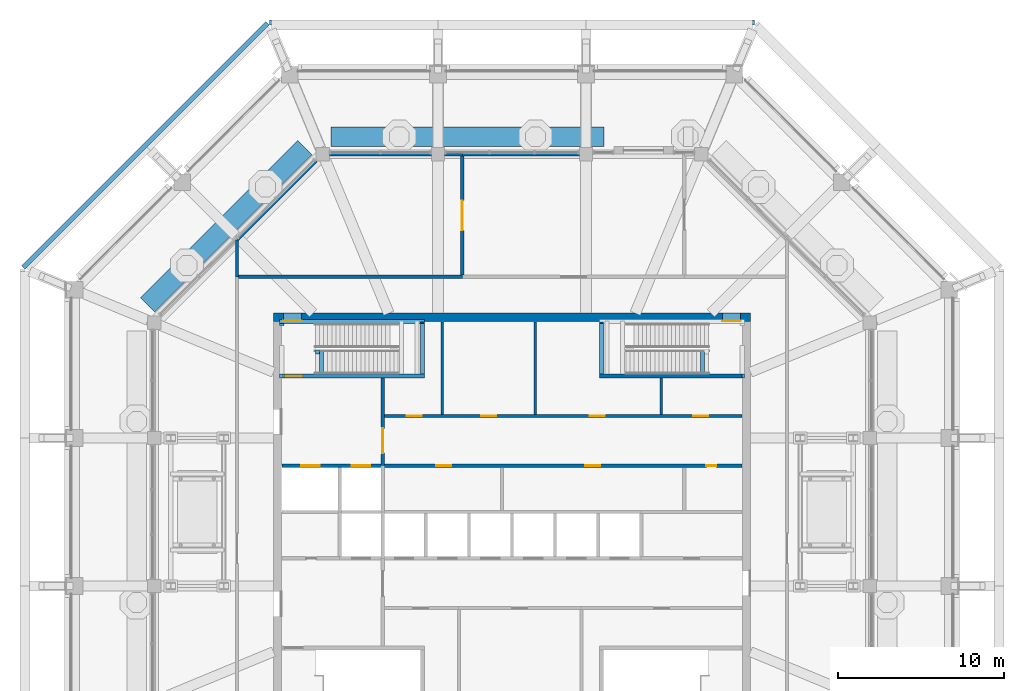
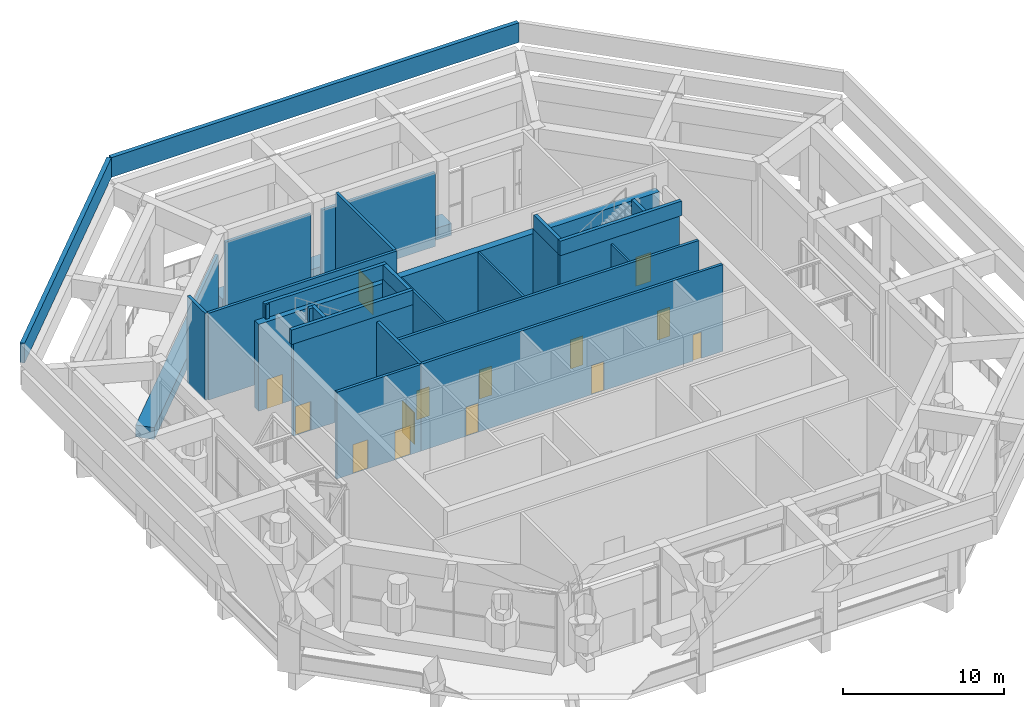
# One storey, part 16 of 29: 32 walls, 14 doors, 14 openings.
"""IFC4 building model written with IfcOpenShell, lengths in metres."""

from ifc_helpers import new_model, si_unit, direction, frame, frame_2d, origin, place, context, subcontext, project, spatial, rectangle, extrude, material, layer, layer_set, type_object, element, fill, save


model = new_model("IFC4")

# Units and contexts
model_context = context("Model", 3, precision=1e-05, world=origin(), true_north=direction((0.0, 1.0)))
body_context = subcontext(model_context, "Body", "Model", "MODEL_VIEW")
ifc_project = project(units=[si_unit("LENGTHUNIT", "METRE"), si_unit("AREAUNIT", "SQUARE_METRE"), si_unit("VOLUMEUNIT", "CUBIC_METRE"), si_unit("PLANEANGLEUNIT", "RADIAN"), si_unit("MASSUNIT", "GRAM", prefix="KILO")], contexts=[model_context])

# Site, building, storey
site_placement = place(None, origin())
site = spatial("IfcSite", under=ifc_project, at=site_placement, CompositionType="ELEMENT")
building_placement = place(site_placement, origin())
building = spatial("IfcBuilding", under=site, at=building_placement, Name="Msitu Wima Residences", CompositionType="ELEMENT")
storey_placement = place(building_placement, frame((0.0, 0.0, 320.10009765625)))
storey = spatial("IfcBuildingStorey", under=building, at=storey_placement, Name="L74", CompositionType="ELEMENT", Elevation=320.10009765625)

# Wall, openings, doors
ifc_material_1 = material(Name="Concrete C50/60", Category="concrete")
ifc_layer_1 = layer(ifc_material_1, 0.5)
ifc_layer_set_1 = layer_set([ifc_layer_1], Name="Concrete C50/60")
wall_type_1 = type_object("IfcWallType", Name="Core wall CW500 C50/60", PredefinedType="SHEAR", material=ifc_layer_set_1)
wall_1_placement = place(storey_placement, frame((-14.39990234375, 11.75, 0.0), z_axis=(0.0, 0.0, 1.0), x_axis=(1.0, 0.0, 0.0)))
wall_1 = element("IfcWall", 1, at=wall_1_placement, inside=storey, type_object=wall_type_1, Name="Core wall", PredefinedType="SHEAR", context=body_context, shape_type="SweptSolid", body=[
    extrude(rectangle(XDim=28.7998046875, YDim=0.5, at=frame_2d((14.39990234375, 0.0))), origin(), (0.0, 0.0, 1.0), 6.599853515625),
])
opening_1_placement = place(wall_1_placement, frame((0.60009765625, 0.0, 0.0)))
opening_1 = element("IfcOpeningElement", 2, at=opening_1_placement, cuts=wall_1, Name="Opening D74.033", PredefinedType="OPENING", context=body_context, shape_type="SweptSolid", body=[
    extrude(rectangle(XDim=1.10009765625, YDim=2.199951171875, at=frame_2d((0.550048828125, 1.10009765625))), frame((0.0, 0.260009765625, 0.0), z_axis=(0.0, -1.0, 0.0), x_axis=(1.0, 0.0, 0.0)), (0.0, 0.0, 1.0), 0.52001953125),
])
opening_2_placement = place(wall_1_placement, frame((27.10009765625, 0.0, 0.0)))
opening_2 = element("IfcOpeningElement", 3, at=opening_2_placement, cuts=wall_1, Name="Opening D74.035", PredefinedType="OPENING", context=body_context, shape_type="SweptSolid", body=[
    extrude(rectangle(XDim=1.10009765625, YDim=2.199951171875, at=frame_2d((0.550048828125, 1.10009765625))), frame((0.0, 0.260009765625, 0.0), z_axis=(0.0, -1.0, 0.0), x_axis=(1.0, 0.0, 0.0)), (0.0, 0.0, 1.0), 0.52001953125),
])
ifc_material_2 = material(Name="Steel door, fire resisting, panic bar", Category="steel")
door_type_1 = type_object("IfcDoorType", Name="Stair door D06 1100x2200", OperationType="SINGLE_SWING_LEFT", PredefinedType="DOOR", material=ifc_material_2)
door_1_placement = place(opening_1_placement, origin())
door_1 = element("IfcDoor", 4, at=door_1_placement, inside=storey, type_object=door_type_1, Name="Stair door", OperationType="SINGLE_SWING_RIGHT", OverallHeight=2.199951171875, OverallWidth=1.10009765625, PredefinedType="DOOR", context=body_context, shape_type="SweptSolid", body=[
    extrude(rectangle(XDim=1.10009765625, YDim=2.199951171875, at=frame_2d((0.550048828125, 1.10009765625))), frame((0.0, -0.19482421875, 0.0), z_axis=(0.0, -1.0, 0.0), x_axis=(1.0, 0.0, 0.0)), (0.0, 0.0, 1.0), 0.050048828125),
])
fill(opening_1, door_1)
door_2_placement = place(opening_2_placement, origin())
door_2 = element("IfcDoor", 5, at=door_2_placement, inside=storey, type_object=door_type_1, Name="Stair door", OperationType="SINGLE_SWING_LEFT", OverallHeight=2.199951171875, OverallWidth=1.10009765625, PredefinedType="DOOR", context=body_context, shape_type="SweptSolid", body=[
    extrude(rectangle(XDim=1.10009765625, YDim=2.199951171875, at=frame_2d((0.550048828125, 1.10009765625))), frame((0.0, -0.19482421875, 0.0), z_axis=(0.0, -1.0, 0.0), x_axis=(1.0, 0.0, 0.0)), (0.0, 0.0, 1.0), 0.050048828125),
])
fill(opening_2, door_2)

# Wall, opening, door
ifc_material_3 = material(Name="Plaster")
ifc_layer_2 = layer(ifc_material_3, 0.011962890625, Name="Plaster")
ifc_material_4 = material(Name="Concrete blockwork", Category="masonry")
ifc_layer_3 = layer(ifc_material_4, 0.176025390625, Name="Concrete blockwork")
ifc_layer_4 = layer(ifc_material_3, 0.011962890625, Name="Plaster")
ifc_layer_set_2 = layer_set([ifc_layer_2, ifc_layer_3, ifc_layer_4], Name="Concrete blockwork")
wall_type_2 = type_object("IfcWallType", Name="Corridor wall FW200", PredefinedType="PARTITIONING", material=ifc_layer_set_2)
wall_2_placement = place(storey_placement, frame((-7.800048828125, 2.800048828125, 0.0), z_axis=(0.0, 0.0, 1.0), x_axis=(0.0, 1.0, 0.0)))
wall_2 = element("IfcWall", 6, at=wall_2_placement, inside=storey, type_object=wall_type_2, Name="Corridor wall", PredefinedType="PARTITIONING", context=body_context, shape_type="SweptSolid", body=[
    extrude(rectangle(XDim=5.27490234375, YDim=0.199951171875, at=frame_2d((2.637451171875, 0.0))), origin(), (0.0, 0.0, 1.0), 6.599853515625),
])
opening_3_placement = place(wall_2_placement, frame((0.75, 0.0, 0.0)))
opening_3 = element("IfcOpeningElement", 7, at=opening_3_placement, cuts=wall_2, Name="Opening D74.004", PredefinedType="OPENING", context=body_context, shape_type="SweptSolid", body=[
    extrude(rectangle(XDim=1.5, YDim=2.39990234375, at=frame_2d((0.75, 1.199951171875))), frame((0.0, 0.10986328125, 0.0), z_axis=(0.0, -1.0, 0.0), x_axis=(1.0, 0.0, 0.0)), (0.0, 0.0, 1.0), 0.219970703125),
])
ifc_material_5 = material(Name="Steel framed glazed door, fire resisting", Category="steel")
door_type_2 = type_object("IfcDoorType", Name="Lobby door D07 1500x2400", OperationType="DOUBLE_DOOR_SINGLE_SWING", PredefinedType="DOOR", material=ifc_material_5)
door_3_placement = place(opening_3_placement, origin())
door_3 = element("IfcDoor", 8, at=door_3_placement, inside=storey, type_object=door_type_2, Name="Lobby door", OperationType="DOUBLE_DOOR_SINGLE_SWING", OverallHeight=2.39990234375, OverallWidth=1.5, PredefinedType="DOOR", context=body_context, shape_type="SweptSolid", body=[
    extrude(rectangle(XDim=1.5, YDim=2.39990234375, at=frame_2d((0.75, 1.199951171875))), frame((0.0, 0.02490234375, 0.0), z_axis=(0.0, -1.0, 0.0), x_axis=(1.0, 0.0, 0.0)), (0.0, 0.0, 1.0), 0.050048828125),
])
fill(opening_3, door_3)

# Wall, openings, doors
wall_3_placement = place(storey_placement, frame((-7.699951171875, 5.800048828125, 0.0), z_axis=(0.0, 0.0, 1.0), x_axis=(1.0, 0.0, 0.0)))
wall_3 = element("IfcWall", 9, at=wall_3_placement, inside=storey, type_object=wall_type_2, Name="Corridor wall", PredefinedType="PARTITIONING", context=body_context, shape_type="SweptSolid", body=[
    extrude(rectangle(XDim=21.570068359375, YDim=0.199951171875, at=frame_2d((10.78515625, 0.0))), origin(), (0.0, 0.0, 1.0), 6.599853515625),
])
opening_4_placement = place(wall_3_placement, frame((1.35009765625, 0.0, 0.0)))
opening_4 = element("IfcOpeningElement", 10, at=opening_4_placement, cuts=wall_3, Name="Opening D74.006", PredefinedType="OPENING", context=body_context, shape_type="SweptSolid", body=[
    extrude(rectangle(XDim=0.89990234375, YDim=2.199951171875, at=frame_2d((0.449951171875, 1.10009765625))), frame((0.0, 0.10986328125, 0.0), z_axis=(0.0, -1.0, 0.0), x_axis=(1.0, 0.0, 0.0)), (0.0, 0.0, 1.0), 0.219970703125),
])
opening_5_placement = place(wall_3_placement, frame((5.85009765625, 0.0, 0.0)))
opening_5 = element("IfcOpeningElement", 11, at=opening_5_placement, cuts=wall_3, Name="Opening D74.007", PredefinedType="OPENING", context=body_context, shape_type="SweptSolid", body=[
    extrude(rectangle(XDim=0.89990234375, YDim=2.199951171875, at=frame_2d((0.449951171875, 1.10009765625))), frame((0.0, 0.10986328125, 0.0), z_axis=(0.0, -1.0, 0.0), x_axis=(1.0, 0.0, 0.0)), (0.0, 0.0, 1.0), 0.219970703125),
])
opening_6_placement = place(wall_3_placement, frame((12.39990234375, 0.0, 0.0)))
opening_6 = element("IfcOpeningElement", 12, at=opening_6_placement, cuts=wall_3, Name="Opening D74.008", PredefinedType="OPENING", context=body_context, shape_type="SweptSolid", body=[
    extrude(rectangle(XDim=0.89990234375, YDim=2.199951171875, at=frame_2d((0.449951171875, 1.10009765625))), frame((0.0, 0.10986328125, 0.0), z_axis=(0.0, -1.0, 0.0), x_axis=(1.0, 0.0, 0.0)), (0.0, 0.0, 1.0), 0.219970703125),
])
opening_7_placement = place(wall_3_placement, frame((18.64990234375, 0.0, 0.0)))
opening_7 = element("IfcOpeningElement", 13, at=opening_7_placement, cuts=wall_3, Name="Opening D74.009", PredefinedType="OPENING", context=body_context, shape_type="SweptSolid", body=[
    extrude(rectangle(XDim=0.89990234375, YDim=2.199951171875, at=frame_2d((0.449951171875, 1.10009765625))), frame((0.0, 0.10986328125, 0.0), z_axis=(0.0, -1.0, 0.0), x_axis=(1.0, 0.0, 0.0)), (0.0, 0.0, 1.0), 0.219970703125),
])
ifc_material_6 = material(Name="Timber flush door", Category="wood")
door_type_3 = type_object("IfcDoorType", Name="Service door D05 900x2200", OperationType="SINGLE_SWING_LEFT", PredefinedType="DOOR", material=ifc_material_6)
door_4_placement = place(opening_4_placement, origin())
door_4 = element("IfcDoor", 14, at=door_4_placement, inside=storey, type_object=door_type_3, Name="Service door", OperationType="SINGLE_SWING_RIGHT", OverallHeight=2.199951171875, OverallWidth=0.89990234375, PredefinedType="DOOR", context=body_context, shape_type="SweptSolid", body=[
    extrude(rectangle(XDim=0.89990234375, YDim=2.199951171875, at=frame_2d((0.449951171875, 1.10009765625))), frame((0.0, 0.02490234375, 0.0), z_axis=(0.0, -1.0, 0.0), x_axis=(1.0, 0.0, 0.0)), (0.0, 0.0, 1.0), 0.050048828125),
])
fill(opening_4, door_4)
door_5_placement = place(opening_5_placement, origin())
door_5 = element("IfcDoor", 15, at=door_5_placement, inside=storey, type_object=door_type_3, Name="Service door", OperationType="SINGLE_SWING_LEFT", OverallHeight=2.199951171875, OverallWidth=0.89990234375, PredefinedType="DOOR", context=body_context, shape_type="SweptSolid", body=[
    extrude(rectangle(XDim=0.89990234375, YDim=2.199951171875, at=frame_2d((0.449951171875, 1.10009765625))), frame((0.0, 0.02490234375, 0.0), z_axis=(0.0, -1.0, 0.0), x_axis=(1.0, 0.0, 0.0)), (0.0, 0.0, 1.0), 0.050048828125),
])
fill(opening_5, door_5)
door_6_placement = place(opening_6_placement, origin())
door_6 = element("IfcDoor", 16, at=door_6_placement, inside=storey, type_object=door_type_3, Name="Service door", OperationType="SINGLE_SWING_RIGHT", OverallHeight=2.199951171875, OverallWidth=0.89990234375, PredefinedType="DOOR", context=body_context, shape_type="SweptSolid", body=[
    extrude(rectangle(XDim=0.89990234375, YDim=2.199951171875, at=frame_2d((0.449951171875, 1.10009765625))), frame((0.0, 0.02490234375, 0.0), z_axis=(0.0, -1.0, 0.0), x_axis=(1.0, 0.0, 0.0)), (0.0, 0.0, 1.0), 0.050048828125),
])
fill(opening_6, door_6)
door_7_placement = place(opening_7_placement, origin())
door_7 = element("IfcDoor", 17, at=door_7_placement, inside=storey, type_object=door_type_3, Name="Service door", OperationType="SINGLE_SWING_LEFT", OverallHeight=2.199951171875, OverallWidth=0.89990234375, PredefinedType="DOOR", context=body_context, shape_type="SweptSolid", body=[
    extrude(rectangle(XDim=0.89990234375, YDim=2.199951171875, at=frame_2d((0.449951171875, 1.10009765625))), frame((0.0, 0.02490234375, 0.0), z_axis=(0.0, -1.0, 0.0), x_axis=(1.0, 0.0, 0.0)), (0.0, 0.0, 1.0), 0.050048828125),
])
fill(opening_7, door_7)

# Walls
wall_4_placement = place(storey_placement, frame((-2.97998046875, 21.60009765625, 0.0), z_axis=(0.0, 0.0, 1.0), x_axis=(1.0, 0.0, 0.0)))
element("IfcWall", 18, at=wall_4_placement, inside=storey, type_object=wall_type_2, Name="Corridor wall", PredefinedType="PARTITIONING", context=body_context, shape_type="SweptSolid", body=[
    extrude(rectangle(XDim=7.048583984375, YDim=0.199951171875, at=frame_2d((3.5244140625, 0.0))), origin(), (0.0, 0.0, 1.0), 5.599853515625),
])
ifc_material_7 = material(Name="Facing brick")
ifc_layer_5 = layer(ifc_material_7, 0.06494140625, Name="Facing brick")
ifc_material_8 = material(Name="Concrete C40/50", Category="concrete")
ifc_layer_6 = layer(ifc_material_8, 0.531005859375, Name="Concrete C40/50")
ifc_material_9 = material(Name="Waterproofing membrane")
ifc_layer_7 = layer(ifc_material_9, 0.00390625, Name="Waterproofing membrane")
ifc_material_10 = material(Name="Planting soil and planting")
ifc_layer_8 = layer(ifc_material_10, 0.60009765625, Name="Planting soil and planting")
ifc_layer_set_3 = layer_set([ifc_layer_5, ifc_layer_6, ifc_layer_7, ifc_layer_8], Name="Concrete C40/50")
wall_type_3 = type_object("IfcWallType", Name="Deck planter PLANTER PL1200", PredefinedType="USERDEFINED", material=ifc_layer_set_3)
wall_5_placement = place(storey_placement, frame((5.5400390625, 22.64990234375, 0.0), z_axis=(0.0, 0.0, 1.0), x_axis=(-1.0, 0.0, 0.0)))
element("IfcWall", 19, at=wall_5_placement, inside=storey, type_object=wall_type_3, Name="Deck planter 3b", ObjectType="PLANTER", PredefinedType="USERDEFINED", context=body_context, shape_type="SweptSolid", body=[
    extrude(rectangle(XDim=16.460693359375, YDim=1.199951171875, at=frame_2d((8.23046875, 0.0))), origin(), (0.0, 0.0, 1.0), 0.89990234375),
])
wall_6_placement = place(storey_placement, frame((-12.511474609375, 21.990966796875, 0.0), z_axis=(0.0, 0.0, 1.0), x_axis=(-0.707106781187, -0.707106781187, 0.0)))
element("IfcWall", 20, at=wall_6_placement, inside=storey, type_object=wall_type_3, Name="Deck planter 4a", ObjectType="PLANTER", PredefinedType="USERDEFINED", context=body_context, shape_type="SweptSolid", body=[
    extrude(rectangle(XDim=13.406005859375, YDim=1.199951171875, at=frame_2d((6.703125, 0.0))), origin(), (0.0, 0.0, 1.0), 0.89990234375),
])
ifc_layer_9 = layer(ifc_material_3, 0.011962890625, Name="Plaster")
ifc_layer_10 = layer(ifc_material_4, 0.1259765625, Name="Concrete blockwork")
ifc_layer_11 = layer(ifc_material_3, 0.011962890625, Name="Plaster")
ifc_layer_set_4 = layer_set([ifc_layer_9, ifc_layer_10, ifc_layer_11], Name="Concrete blockwork")
wall_type_4 = type_object("IfcWallType", Name="Partition PW150", PredefinedType="PARTITIONING", material=ifc_layer_set_4)
for number, where, z_axis, x_axis, name in (
    (21, (-4.199951171875, 5.89990234375, 0.0), (0.0, 0.0, 1.0), (0.0, 1.0, 0.0), "Partition"),
    (22, (1.39990234375, 5.89990234375, 0.0), (0.0, 0.0, 1.0), (0.0, 1.0, 0.0), "Partition"),
):
    element("IfcWall", number, at=place(storey_placement, frame(where, z_axis=z_axis, x_axis=x_axis)), inside=storey, type_object=wall_type_4, Name=name, PredefinedType="PARTITIONING", context=body_context, shape_type="SweptSolid", body=[
        extrude(rectangle(XDim=5.570068359375, YDim=0.14990234375, at=frame_2d((2.78515625, 0.0))), origin(), (0.0, 0.0, 1.0), 6.599853515625),
    ])
wall_7_placement = place(storey_placement, frame((9.0, 5.89990234375, 0.0), z_axis=(0.0, 0.0, 1.0), x_axis=(0.0, 1.0, 0.0)))
element("IfcWall", 23, at=wall_7_placement, inside=storey, type_object=wall_type_4, Name="Partition", PredefinedType="PARTITIONING", context=body_context, shape_type="SweptSolid", body=[
    extrude(rectangle(XDim=2.175048828125, YDim=0.14990234375, at=frame_2d((1.08740234375, 0.0))), origin(), (0.0, 0.0, 1.0), 6.599853515625),
])
ifc_layer_12 = layer(ifc_material_3, 0.011962890625, Name="Plaster")
ifc_material_11 = material(Name="Reinforced concrete blockwork", Category="masonry")
ifc_layer_13 = layer(ifc_material_11, 0.176025390625, Name="Reinforced concrete blockwork")
ifc_layer_14 = layer(ifc_material_3, 0.011962890625, Name="Plaster")
ifc_layer_set_5 = layer_set([ifc_layer_12, ifc_layer_13, ifc_layer_14], Name="Reinforced concrete blockwork")
wall_type_5 = type_object("IfcWallType", Name="Plant and riser wall PL200", PredefinedType="PARTITIONING", material=ifc_layer_set_5)
wall_8_placement = place(storey_placement, frame((-16.60009765625, 14.199951171875, 0.0), z_axis=(0.0, 0.0, 1.0), x_axis=(0.0, 1.0, 0.0)))
element("IfcWall", 24, at=wall_8_placement, inside=storey, type_object=wall_type_5, Name="Plant and riser wall", PredefinedType="PARTITIONING", context=body_context, shape_type="SweptSolid", body=[
    extrude(rectangle(XDim=2.2177734375, YDim=0.199951171875, at=frame_2d((1.10888671875, 0.0))), origin(), (0.0, 0.0, 1.0), 6.599853515625),
])
wall_9_placement = place(storey_placement, frame((-16.5, 14.199951171875, 0.0), z_axis=(0.0, 0.0, 1.0), x_axis=(1.0, 0.0, 0.0)))
element("IfcWall", 25, at=wall_9_placement, inside=storey, type_object=wall_type_5, Name="Plant and riser wall", PredefinedType="PARTITIONING", context=body_context, shape_type="SweptSolid", body=[
    extrude(rectangle(XDim=13.52001953125, YDim=0.199951171875, at=frame_2d((6.760009765625, 0.0))), origin(), (0.0, 0.0, 1.0), 6.599853515625),
])
wall_10_placement = place(storey_placement, frame((-16.5859375, 16.431884765625, 0.0), z_axis=(0.0, 0.0, 1.0), x_axis=(0.707124883584, 0.707088678326, 0.0)))
element("IfcWall", 26, at=wall_10_placement, inside=storey, type_object=wall_type_5, Name="Plant and riser wall", PredefinedType="PARTITIONING", context=body_context, shape_type="SweptSolid", body=[
    extrude(rectangle(XDim=6.7431640625, YDim=0.199951171875, at=frame_2d((3.37158203125, 0.0))), origin(), (0.0, 0.0, 1.0), 5.14990234375),
])
wall_11_placement = place(storey_placement, frame((-11.017578125, 21.60009765625, 0.0), z_axis=(0.0, 0.0, 1.0), x_axis=(1.0, 0.0, 0.0)))
element("IfcWall", 27, at=wall_11_placement, inside=storey, type_object=wall_type_5, Name="Plant and riser wall", PredefinedType="PARTITIONING", context=body_context, shape_type="SweptSolid", body=[
    extrude(rectangle(XDim=6.14892578125, YDim=0.199951171875, at=frame_2d((3.074462890625, 0.0))), origin(), (0.0, 0.0, 1.0), 5.599853515625),
])
wall_12_placement = place(storey_placement, frame((-4.068603515625, 21.60009765625, 0.0), z_axis=(0.0, 0.0, 1.0), x_axis=(1.0, 0.0, 0.0)))
element("IfcWall", 28, at=wall_12_placement, inside=storey, type_object=wall_type_5, Name="Plant and riser wall", PredefinedType="PARTITIONING", context=body_context, shape_type="SweptSolid", body=[
    extrude(rectangle(XDim=1.088623046875, YDim=0.199951171875, at=frame_2d((0.54443359375, 0.0))), origin(), (0.0, 0.0, 1.0), 5.599853515625),
])

# Wall, openings, doors
wall_13_placement = place(storey_placement, frame((-7.820068359375, 2.800048828125, 0.0), z_axis=(0.0, 0.0, 1.0), x_axis=(1.0, 0.0, 0.0)))
wall_13 = element("IfcWall", 29, at=wall_13_placement, inside=storey, type_object=wall_type_5, Name="Plant and riser wall", PredefinedType="PARTITIONING", context=body_context, shape_type="SweptSolid", body=[
    extrude(rectangle(XDim=21.690185546875, YDim=0.199951171875, at=frame_2d((10.84521484375, 0.0))), origin(), (0.0, 0.0, 1.0), 6.599853515625),
])
opening_8_placement = place(wall_13_placement, frame((19.550048828125, 0.0, 0.0)))
opening_8 = element("IfcOpeningElement", 30, at=opening_8_placement, cuts=wall_13, Name="Opening D74.015", PredefinedType="OPENING", context=body_context, shape_type="SweptSolid", body=[
    extrude(rectangle(XDim=0.60009765625, YDim=2.0, at=frame_2d((0.300048828125, 1.0))), frame((0.0, 0.10986328125, 0.0), z_axis=(0.0, -1.0, 0.0), x_axis=(1.0, 0.0, 0.0)), (0.0, 0.0, 1.0), 0.219970703125),
])
opening_9_placement = place(wall_13_placement, frame((3.25, 0.0, 0.0)))
opening_9 = element("IfcOpeningElement", 31, at=opening_9_placement, cuts=wall_13, Name="Opening D74.013", PredefinedType="OPENING", context=body_context, shape_type="SweptSolid", body=[
    extrude(rectangle(XDim=0.89990234375, YDim=2.199951171875, at=frame_2d((0.449951171875, 1.10009765625))), frame((0.0, 0.10986328125, 0.0), z_axis=(0.0, -1.0, 0.0), x_axis=(1.0, 0.0, 0.0)), (0.0, 0.0, 1.0), 0.219970703125),
])
opening_10_placement = place(wall_13_placement, frame((12.25, 0.0, 0.0)))
opening_10 = element("IfcOpeningElement", 32, at=opening_10_placement, cuts=wall_13, Name="Opening D74.014", PredefinedType="OPENING", context=body_context, shape_type="SweptSolid", body=[
    extrude(rectangle(XDim=0.89990234375, YDim=2.199951171875, at=frame_2d((0.449951171875, 1.10009765625))), frame((0.0, 0.10986328125, 0.0), z_axis=(0.0, -1.0, 0.0), x_axis=(1.0, 0.0, 0.0)), (0.0, 0.0, 1.0), 0.219970703125),
])
ifc_material_12 = material(Name="Steel access door, fire resisting", Category="steel")
door_type_4 = type_object("IfcDoorType", Name="Riser access door D08 600x2000", OperationType="SINGLE_SWING_LEFT", PredefinedType="DOOR", material=ifc_material_12)
door_8_placement = place(opening_8_placement, origin())
door_8 = element("IfcDoor", 33, at=door_8_placement, inside=storey, type_object=door_type_4, Name="Riser access door", OperationType="SINGLE_SWING_RIGHT", OverallHeight=2.0, OverallWidth=0.60009765625, PredefinedType="DOOR", context=body_context, shape_type="SweptSolid", body=[
    extrude(rectangle(XDim=0.60009765625, YDim=2.0, at=frame_2d((0.300048828125, 1.0))), frame((0.0, 0.02490234375, 0.0), z_axis=(0.0, -1.0, 0.0), x_axis=(1.0, 0.0, 0.0)), (0.0, 0.0, 1.0), 0.050048828125),
])
fill(opening_8, door_8)
door_9_placement = place(opening_9_placement, origin())
door_9 = element("IfcDoor", 34, at=door_9_placement, inside=storey, type_object=door_type_3, Name="Service door", OperationType="SINGLE_SWING_LEFT", OverallHeight=2.199951171875, OverallWidth=0.89990234375, PredefinedType="DOOR", context=body_context, shape_type="SweptSolid", body=[
    extrude(rectangle(XDim=0.89990234375, YDim=2.199951171875, at=frame_2d((0.449951171875, 1.10009765625))), frame((0.0, 0.02490234375, 0.0), z_axis=(0.0, -1.0, 0.0), x_axis=(1.0, 0.0, 0.0)), (0.0, 0.0, 1.0), 0.050048828125),
])
fill(opening_9, door_9)
door_10_placement = place(opening_10_placement, origin())
door_10 = element("IfcDoor", 35, at=door_10_placement, inside=storey, type_object=door_type_3, Name="Service door", OperationType="SINGLE_SWING_LEFT", OverallHeight=2.199951171875, OverallWidth=0.89990234375, PredefinedType="DOOR", context=body_context, shape_type="SweptSolid", body=[
    extrude(rectangle(XDim=0.89990234375, YDim=2.199951171875, at=frame_2d((0.449951171875, 1.10009765625))), frame((0.0, 0.02490234375, 0.0), z_axis=(0.0, -1.0, 0.0), x_axis=(1.0, 0.0, 0.0)), (0.0, 0.0, 1.0), 0.050048828125),
])
fill(opening_10, door_10)

# Wall, opening, door
wall_14_placement = place(storey_placement, frame((-3.0, 14.300048828125, 0.0), z_axis=(0.0, 0.0, 1.0), x_axis=(0.0, 1.0, 0.0)))
wall_14 = element("IfcWall", 36, at=wall_14_placement, inside=storey, type_object=wall_type_5, Name="Plant and riser wall", PredefinedType="PARTITIONING", context=body_context, shape_type="SweptSolid", body=[
    extrude(rectangle(XDim=7.199951171875, YDim=0.199951171875, at=frame_2d((3.60009765625, 0.0))), origin(), (0.0, 0.0, 1.0), 6.599853515625),
])
opening_11_placement = place(wall_14_placement, frame((2.699951171875, 0.0, 0.0)))
opening_11 = element("IfcOpeningElement", 37, at=opening_11_placement, cuts=wall_14, Name="Opening D74.023", PredefinedType="OPENING", context=body_context, shape_type="SweptSolid", body=[
    extrude(rectangle(XDim=1.800048828125, YDim=2.39990234375, at=frame_2d((0.89990234375, 1.199951171875))), frame((0.0, 0.10986328125, 0.0), z_axis=(0.0, -1.0, 0.0), x_axis=(1.0, 0.0, 0.0)), (0.0, 0.0, 1.0), 0.219970703125),
])
ifc_material_13 = material(Name="Steel door, fire resisting", Category="steel")
door_type_5 = type_object("IfcDoorType", Name="Plant room door D09 1800x2400", OperationType="DOUBLE_DOOR_SINGLE_SWING", PredefinedType="DOOR", material=ifc_material_13)
door_11_placement = place(opening_11_placement, origin())
door_11 = element("IfcDoor", 38, at=door_11_placement, inside=storey, type_object=door_type_5, Name="Plant room door", OperationType="DOUBLE_DOOR_SINGLE_SWING", OverallHeight=2.39990234375, OverallWidth=1.800048828125, PredefinedType="DOOR", context=body_context, shape_type="SweptSolid", body=[
    extrude(rectangle(XDim=1.800048828125, YDim=2.39990234375, at=frame_2d((0.89990234375, 1.199951171875))), frame((0.0, 0.02490234375, 0.0), z_axis=(0.0, -1.0, 0.0), x_axis=(1.0, 0.0, 0.0)), (0.0, 0.0, 1.0), 0.050048828125),
])
fill(opening_11, door_11)

# Walls
ifc_layer_15 = layer(ifc_material_7, 0.06494140625, Name="Facing brick")
ifc_layer_16 = layer(ifc_material_8, 0.235107421875, Name="Concrete C40/50")
ifc_layer_set_6 = layer_set([ifc_layer_15, ifc_layer_16], Name="Concrete C40/50")
wall_type_6 = type_object("IfcWallType", Name="Roof parapet PA300", PredefinedType="PARAPET", material=ifc_layer_set_6)
wall_15_placement = place(storey_placement, frame((-29.506103515625, 14.754638671875, 7.0), z_axis=(0.0, 0.0, 1.0), x_axis=(0.707106781187, 0.707106781187, 0.0)))
element("IfcWall", 39, at=wall_15_placement, inside=storey, type_object=wall_type_6, Name="Roof parapet 4", PredefinedType="PARAPET", context=body_context, shape_type="SweptSolid", body=[
    extrude(rectangle(XDim=20.86181640625, YDim=0.300048828125, at=frame_2d((10.430908203125, 0.0))), origin(), (0.0, 0.0, 1.0), 1.5),
])
wall_16_placement = place(storey_placement, frame((-14.6484375, 29.550048828125, 7.0), z_axis=(0.0, 0.0, 1.0), x_axis=(1.0, 0.0, 0.0)))
element("IfcWall", 40, at=wall_16_placement, inside=storey, type_object=wall_type_6, Name="Roof parapet 5", PredefinedType="PARAPET", context=body_context, shape_type="SweptSolid", body=[
    extrude(rectangle(XDim=29.296875, YDim=0.300048828125, at=frame_2d((14.6484375, 0.0))), origin(), (0.0, 0.0, 1.0), 1.5),
])
ifc_layer_17 = layer(ifc_material_7, 0.06494140625, Name="Facing brick")
ifc_layer_18 = layer(ifc_material_8, 0.18505859375, Name="Concrete C40/50")
ifc_layer_set_7 = layer_set([ifc_layer_17, ifc_layer_18], Name="Concrete C40/50")
wall_type_7 = type_object("IfcWallType", Name="Roof stair upstand wall UW250", PredefinedType="SOLIDWALL", material=ifc_layer_set_7)
wall_17_placement = place(storey_placement, frame((-11.5, 8.324951171875, 7.0), z_axis=(0.0, 0.0, 1.0), x_axis=(0.0, 1.0, 0.0)))
element("IfcWall", 41, at=wall_17_placement, inside=storey, type_object=wall_type_7, Name="Roof stair 1 upstand wall", PredefinedType="SOLIDWALL", context=body_context, shape_type="SweptSolid", body=[
    extrude(rectangle(XDim=1.449951171875, YDim=0.25, at=frame_2d((0.72509765625, 0.0))), origin(), (0.0, 0.0, 1.0), 1.099853515625),
])
wall_18_placement = place(storey_placement, frame((-11.875, 9.64990234375, 7.0), z_axis=(0.0, 0.0, 1.0), x_axis=(1.0, 0.0, 0.0)))
element("IfcWall", 42, at=wall_18_placement, inside=storey, type_object=wall_type_7, Name="Roof stair 1 upstand wall", PredefinedType="SOLIDWALL", context=body_context, shape_type="SweptSolid", body=[
    extrude(rectangle(XDim=0.25, YDim=0.25, at=frame_2d((0.125, 0.0))), origin(), (0.0, 0.0, 1.0), 1.099853515625),
])
for number, where, z_axis, x_axis, name in (
    (43, (-14.02490234375, 11.5, 7.0), (0.0, 0.0, 1.0), (1.0, 0.0, 0.0), "Roof stair 1 upstand wall"),
    (44, (-14.02490234375, 8.199951171875, 7.0), (0.0, 0.0, 1.0), (1.0, 0.0, 0.0), "Roof stair 1 upstand wall"),
):
    element("IfcWall", number, at=place(storey_placement, frame(where, z_axis=z_axis, x_axis=x_axis)), inside=storey, type_object=wall_type_7, Name=name, PredefinedType="SOLIDWALL", context=body_context, shape_type="SweptSolid", body=[
        extrude(rectangle(XDim=8.75, YDim=0.25, at=frame_2d((4.375, 0.0))), origin(), (0.0, 0.0, 1.0), 1.099853515625),
    ])
wall_19_placement = place(storey_placement, frame((-5.39990234375, 8.324951171875, 7.0), z_axis=(0.0, 0.0, 1.0), x_axis=(0.0, 1.0, 0.0)))
element("IfcWall", 45, at=wall_19_placement, inside=storey, type_object=wall_type_7, Name="Roof stair 1 upstand wall", PredefinedType="SOLIDWALL", context=body_context, shape_type="SweptSolid", body=[
    extrude(rectangle(XDim=3.050048828125, YDim=0.25, at=frame_2d((1.52490234375, 0.0))), origin(), (0.0, 0.0, 1.0), 1.099853515625),
])
wall_20_placement = place(storey_placement, frame((-13.89990234375, 11.25, 7.0), z_axis=(0.0, 0.0, 1.0), x_axis=(0.0, 1.0, 0.0)))
element("IfcWall", 46, at=wall_20_placement, inside=storey, type_object=wall_type_7, Name="Roof stair 1 upstand wall", PredefinedType="SOLIDWALL", context=body_context, shape_type="SweptSolid", body=[
    extrude(rectangle(XDim=0.125, YDim=0.25, at=frame_2d((0.0625, 0.0))), origin(), (0.0, 0.0, 1.0), 1.099853515625),
])
wall_21_placement = place(storey_placement, frame((11.5, 8.324951171875, 7.0), z_axis=(0.0, 0.0, 1.0), x_axis=(0.0, 1.0, 0.0)))
element("IfcWall", 47, at=wall_21_placement, inside=storey, type_object=wall_type_7, Name="Roof stair 3 upstand wall", PredefinedType="SOLIDWALL", context=body_context, shape_type="SweptSolid", body=[
    extrude(rectangle(XDim=1.449951171875, YDim=0.25, at=frame_2d((0.72509765625, 0.0))), origin(), (0.0, 0.0, 1.0), 1.099853515625),
])
wall_22_placement = place(storey_placement, frame((5.27490234375, 8.199951171875, 7.0), z_axis=(0.0, 0.0, 1.0), x_axis=(1.0, 0.0, 0.0)))
element("IfcWall", 48, at=wall_22_placement, inside=storey, type_object=wall_type_7, Name="Roof stair 3 upstand wall", PredefinedType="SOLIDWALL", context=body_context, shape_type="SweptSolid", body=[
    extrude(rectangle(XDim=8.75, YDim=0.25, at=frame_2d((4.375, 0.0))), origin(), (0.0, 0.0, 1.0), 1.099853515625),
])
wall_23_placement = place(storey_placement, frame((5.39990234375, 8.324951171875, 7.0), z_axis=(0.0, 0.0, 1.0), x_axis=(0.0, 1.0, 0.0)))
element("IfcWall", 49, at=wall_23_placement, inside=storey, type_object=wall_type_7, Name="Roof stair 3 upstand wall", PredefinedType="SOLIDWALL", context=body_context, shape_type="SweptSolid", body=[
    extrude(rectangle(XDim=3.050048828125, YDim=0.25, at=frame_2d((1.52490234375, 0.0))), origin(), (0.0, 0.0, 1.0), 1.099853515625),
])

# Wall, openings, doors
ifc_material_14 = material(Name="Fire-rated board")
ifc_layer_19 = layer(ifc_material_14, 0.02490234375, Name="Fire-rated board")
ifc_material_15 = material(Name="Light-gauge stud framing with mineral wool")
ifc_layer_20 = layer(ifc_material_15, 0.14990234375, Name="Light-gauge stud framing with mineral wool")
ifc_layer_21 = layer(ifc_material_14, 0.02490234375, Name="Fire-rated board")
ifc_layer_set_8 = layer_set([ifc_layer_19, ifc_layer_20, ifc_layer_21], Name="Light-gauge stud framing with mineral wool")
wall_type_8 = type_object("IfcWallType", Name="Shaft wall SH200", PredefinedType="PARTITIONING", material=ifc_layer_set_8)
wall_24_placement = place(storey_placement, frame((-13.8701171875, 2.800048828125, 0.0), z_axis=(0.0, 0.0, 1.0), x_axis=(1.0, 0.0, 0.0)))
wall_24 = element("IfcWall", 50, at=wall_24_placement, inside=storey, type_object=wall_type_8, Name="Shaft wall", PredefinedType="PARTITIONING", context=body_context, shape_type="SweptSolid", body=[
    extrude(rectangle(XDim=6.050048828125, YDim=0.199951171875, at=frame_2d((3.02490234375, 0.0))), origin(), (0.0, 0.0, 1.0), 6.599853515625),
])
opening_12_placement = place(wall_24_placement, frame((1.14990234375, 0.0, 0.0)))
opening_12 = element("IfcOpeningElement", 51, at=opening_12_placement, cuts=wall_24, Name="Opening LD", PredefinedType="OPENING", context=body_context, shape_type="SweptSolid", body=[
    extrude(rectangle(XDim=1.10009765625, YDim=2.199951171875, at=frame_2d((0.550048828125, 1.10009765625))), frame((0.0, 0.10986328125, 0.0), z_axis=(0.0, -1.0, 0.0), x_axis=(1.0, 0.0, 0.0)), (0.0, 0.0, 1.0), 0.219970703125),
])
opening_13_placement = place(wall_24_placement, frame((4.199951171875, 0.0, 0.0)))
opening_13 = element("IfcOpeningElement", 52, at=opening_13_placement, cuts=wall_24, Name="Opening LD", PredefinedType="OPENING", context=body_context, shape_type="SweptSolid", body=[
    extrude(rectangle(XDim=1.10009765625, YDim=2.199951171875, at=frame_2d((0.550048828125, 1.10009765625))), frame((0.0, 0.10986328125, 0.0), z_axis=(0.0, -1.0, 0.0), x_axis=(1.0, 0.0, 0.0)), (0.0, 0.0, 1.0), 0.219970703125),
])
ifc_material_16 = material(Name="Stainless steel centre-opening landing door, rated", Category="steel")
door_type_6 = type_object("IfcDoorType", Name="Lift landing door LD 1100x2200", OperationType="DOUBLE_DOOR_SLIDING", PredefinedType="DOOR", material=ifc_material_16)
door_12_placement = place(opening_12_placement, origin())
door_12 = element("IfcDoor", 53, at=door_12_placement, inside=storey, type_object=door_type_6, Name="Lift landing door LD1", OperationType="DOUBLE_DOOR_SLIDING", OverallHeight=2.199951171875, OverallWidth=1.10009765625, PredefinedType="DOOR", context=body_context, shape_type="SweptSolid", body=[
    extrude(rectangle(XDim=1.10009765625, YDim=2.199951171875, at=frame_2d((0.550048828125, 1.10009765625))), frame((0.0, 0.02490234375, 0.0), z_axis=(0.0, -1.0, 0.0), x_axis=(1.0, 0.0, 0.0)), (0.0, 0.0, 1.0), 0.050048828125),
])
fill(opening_12, door_12)
door_13_placement = place(opening_13_placement, origin())
door_13 = element("IfcDoor", 54, at=door_13_placement, inside=storey, type_object=door_type_6, Name="Lift landing door LD2", OperationType="DOUBLE_DOOR_SLIDING", OverallHeight=2.199951171875, OverallWidth=1.10009765625, PredefinedType="DOOR", context=body_context, shape_type="SweptSolid", body=[
    extrude(rectangle(XDim=1.10009765625, YDim=2.199951171875, at=frame_2d((0.550048828125, 1.10009765625))), frame((0.0, 0.02490234375, 0.0), z_axis=(0.0, -1.0, 0.0), x_axis=(1.0, 0.0, 0.0)), (0.0, 0.0, 1.0), 0.050048828125),
])
fill(opening_13, door_13)

# Wall, opening, door
ifc_layer_22 = layer(ifc_material_1, 0.25)
ifc_layer_set_9 = layer_set([ifc_layer_22], Name="Concrete C50/60")
wall_type_9 = type_object("IfcWallType", Name="Stair enclosure wall SW250", PredefinedType="SHEAR", material=ifc_layer_set_9)
wall_25_placement = place(storey_placement, frame((-13.8701171875, 8.199951171875, 0.0), z_axis=(0.0, 0.0, 1.0), x_axis=(1.0, 0.0, 0.0)))
wall_25 = element("IfcWall", 55, at=wall_25_placement, inside=storey, type_object=wall_type_9, Name="Stair enclosure wall", PredefinedType="SHEAR", context=body_context, shape_type="SweptSolid", body=[
    extrude(rectangle(XDim=8.59521484375, YDim=0.25, at=frame_2d((4.297607421875, 0.0))), origin(), (0.0, 0.0, 1.0), 7.0),
])
opening_14_placement = place(wall_25_placement, frame((0.14990234375, 0.0, 0.0)))
opening_14 = element("IfcOpeningElement", 56, at=opening_14_placement, cuts=wall_25, Name="Opening D74.017", PredefinedType="OPENING", context=body_context, shape_type="SweptSolid", body=[
    extrude(rectangle(XDim=1.10009765625, YDim=2.199951171875, at=frame_2d((0.550048828125, 1.10009765625))), frame((0.0, 0.135009765625, 0.0), z_axis=(0.0, -1.0, 0.0), x_axis=(1.0, 0.0, 0.0)), (0.0, 0.0, 1.0), 0.27001953125),
])
door_14_placement = place(opening_14_placement, origin())
door_14 = element("IfcDoor", 57, at=door_14_placement, inside=storey, type_object=door_type_1, Name="Stair door", OperationType="SINGLE_SWING_LEFT", OverallHeight=2.199951171875, OverallWidth=1.10009765625, PredefinedType="DOOR", context=body_context, shape_type="SweptSolid", body=[
    extrude(rectangle(XDim=1.10009765625, YDim=2.199951171875, at=frame_2d((0.550048828125, 1.10009765625))), frame((0.0, 0.02490234375, 0.0), z_axis=(0.0, -1.0, 0.0), x_axis=(1.0, 0.0, 0.0)), (0.0, 0.0, 1.0), 0.050048828125),
])
fill(opening_14, door_14)

# Walls
for number, where, z_axis, x_axis, name in (
    (58, (-5.39990234375, 8.324951171875, 0.0), (0.0, 0.0, 1.0), (0.0, 1.0, 0.0), "Stair enclosure wall"),
    (59, (5.39990234375, 8.324951171875, 0.0), (0.0, 0.0, 1.0), (0.0, 1.0, 0.0), "Stair enclosure wall"),
):
    element("IfcWall", number, at=place(storey_placement, frame(where, z_axis=z_axis, x_axis=x_axis)), inside=storey, type_object=wall_type_9, Name=name, PredefinedType="SHEAR", context=body_context, shape_type="SweptSolid", body=[
        extrude(rectangle(XDim=3.14501953125, YDim=0.25, at=frame_2d((1.572509765625, 0.0))), origin(), (0.0, 0.0, 1.0), 7.0),
    ])
wall_26_placement = place(storey_placement, frame((5.27490234375, 8.199951171875, 0.0), z_axis=(0.0, 0.0, 1.0), x_axis=(1.0, 0.0, 0.0)))
element("IfcWall", 60, at=wall_26_placement, inside=storey, type_object=wall_type_9, Name="Stair enclosure wall", PredefinedType="SHEAR", context=body_context, shape_type="SweptSolid", body=[
    extrude(rectangle(XDim=8.59521484375, YDim=0.25, at=frame_2d((4.297607421875, 0.0))), origin(), (0.0, 0.0, 1.0), 7.0),
])

save(model, "model.ifc")
